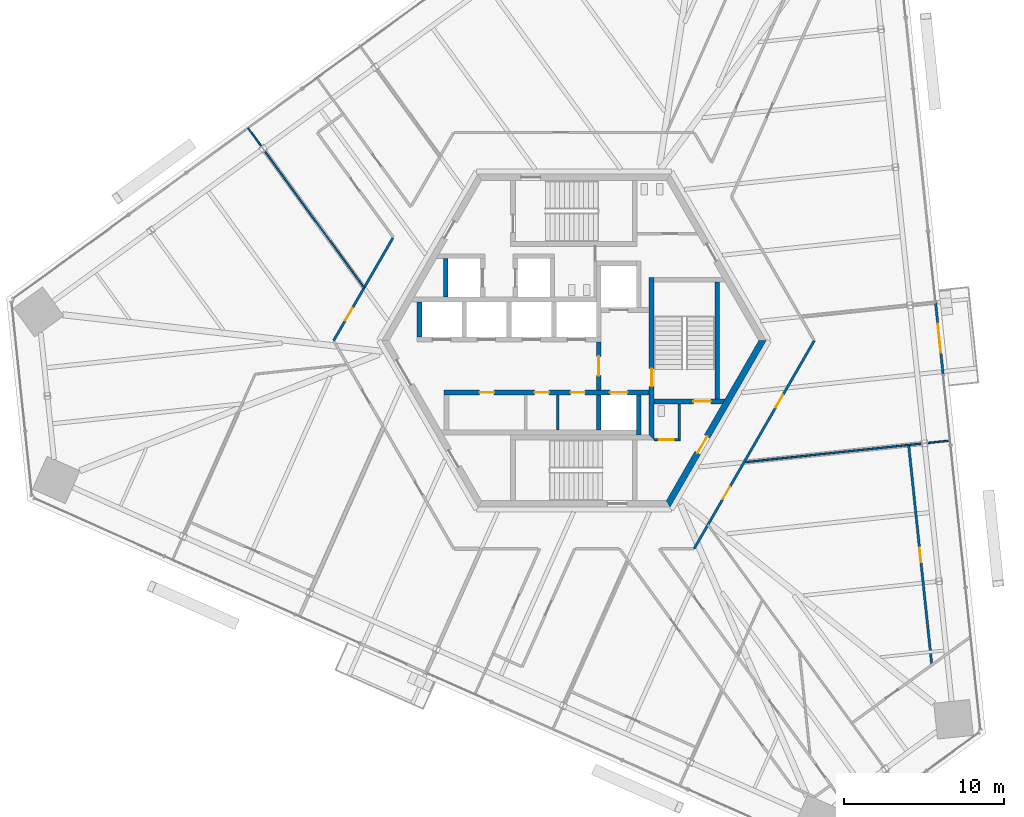
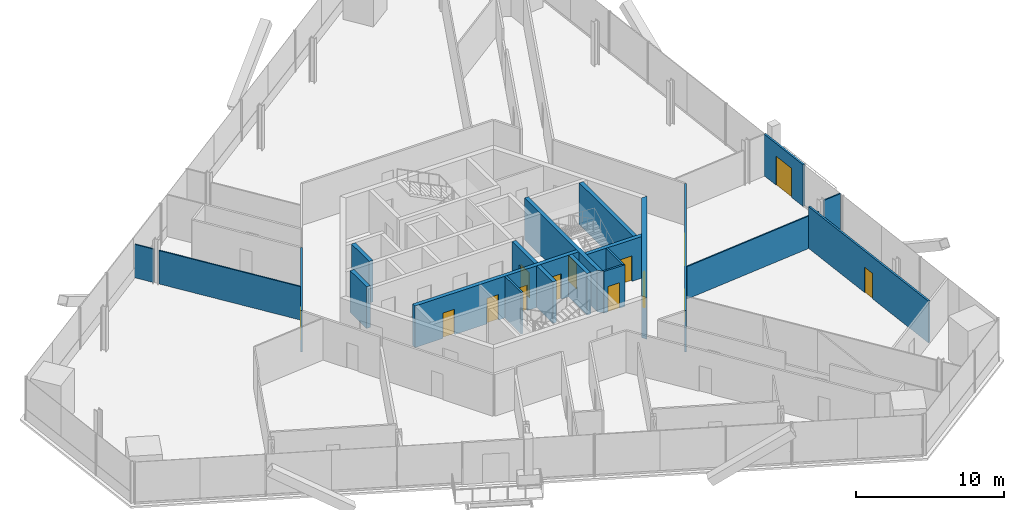
# One storey, part 12 of 18: 21 walls, 14 doors, 14 openings.
"""IFC4 building model written with IfcOpenShell, lengths in metres."""

from ifc_helpers import new_model, si_unit, direction, frame, frame_2d, origin, place, context, subcontext, project, spatial, polyline, rectangle, outline, extrude, source, transform, mapped, material, layer, layer_set, type_object, element, fill, save


model = new_model("IFC4")

# Units and contexts
model_context = context("Model", 3, precision=1e-05, world=origin(), true_north=direction((0.0, 1.0)))
body_context = subcontext(model_context, "Body", "Model", "MODEL_VIEW")
ifc_project = project(units=[si_unit("LENGTHUNIT", "METRE"), si_unit("AREAUNIT", "SQUARE_METRE"), si_unit("VOLUMEUNIT", "CUBIC_METRE"), si_unit("PLANEANGLEUNIT", "RADIAN"), si_unit("MASSUNIT", "GRAM", prefix="KILO")], contexts=[model_context])

# Site, building, storey
site_placement = place(None, origin())
site = spatial("IfcSite", under=ifc_project, at=site_placement, CompositionType="ELEMENT")
building_placement = place(site_placement, origin())
building = spatial("IfcBuilding", under=site, at=building_placement, Name="Triune Harvest Tower", CompositionType="ELEMENT")
storey_placement = place(building_placement, frame((0.0, 0.0, 83.699951171875)))
storey = spatial("IfcBuildingStorey", under=building, at=storey_placement, Name="L20", CompositionType="ELEMENT", Elevation=83.699951171875)

# Walls
ifc_material_1 = material(Name="Gypsum board on steel studs", Category="steel")
ifc_layer_1 = layer(ifc_material_1, 0.10009765625)
ifc_layer_set_1 = layer_set([ifc_layer_1], Name="Gypsum board on steel studs")
wall_type_1 = type_object("IfcWallType", Name="Partition 100 mm", PredefinedType="PARTITIONING", material=ifc_layer_set_1)
wall_1_placement = place(storey_placement, frame((-20.349365234375, 13.271484375, 0.0), z_axis=(0.0, 0.0, 1.0), x_axis=(0.587731585227, -0.809055983061, 0.0)))
element("IfcWall", 1, at=wall_1_placement, inside=storey, type_object=wall_type_1, Name="Partition L20 008", PredefinedType="PARTITIONING", context=body_context, shape_type="SweptSolid", body=[
    extrude(rectangle(XDim=1.41845703125, YDim=0.10009765625, at=frame_2d((0.709228515625, 0.0))), origin(), (0.0, 0.0, 1.0), 2.7568359375),
])
wall_2_placement = place(storey_placement, frame((-19.2958984375, 11.821533203125, 0.0), z_axis=(0.0, 0.0, 1.0), x_axis=(0.587790142601, -0.809013441335, 0.0)))
element("IfcWall", 2, at=wall_2_placement, inside=storey, type_object=wall_type_1, Name="Partition L20 009", PredefinedType="PARTITIONING", context=body_context, shape_type="SweptSolid", body=[
    extrude(rectangle(XDim=10.54052734375, YDim=0.10009765625, at=frame_2d((5.270263671875, 0.0))), origin(), (0.0, 0.0, 1.0), 2.7568359375),
])
wall_3_placement = place(storey_placement, frame((10.71728515625, -7.58349609375, 0.0), z_axis=(0.0, 0.0, 1.0), x_axis=(0.994523372498, 0.104514408362, 0.0)))
element("IfcWall", 3, at=wall_3_placement, inside=storey, type_object=wall_type_1, Name="Partition L20 030", PredefinedType="PARTITIONING", context=body_context, shape_type="SweptSolid", body=[
    extrude(rectangle(XDim=11.039794921875, YDim=0.10009765625, at=frame_2d((5.52001953125, 0.0))), origin(), (0.0, 0.0, 1.0), 2.68310546875),
])

# Wall, opening, door
ifc_material_2 = material(Name="Concrete 70 MPa", Category="concrete")
ifc_layer_2 = layer(ifc_material_2, 0.39990234375)
ifc_layer_set_2 = layer_set([ifc_layer_2], Name="Concrete 70 MPa")
wall_type_2 = type_object("IfcWallType", Name="Core wall 400", PredefinedType="SHEAR", material=ifc_layer_set_2)
shared_shape_1 = source(origin(), body_context, "Body", "SweptSolid", [
    extrude(outline(polyline([(-0.115478515625, -0.199951171875), (11.884521484375, -0.199951171875), (11.653564453125, 0.199951171875), (0.115478515625, 0.199951171875), (-0.115478515625, -0.199951171875)])), origin(), (0.0, 0.0, 1.0), 3.43994140625),
])
wall_4_placement = place(storey_placement, frame((5.884521484375, -10.1923828125, 0.0), z_axis=(0.0, 0.0, 1.0), x_axis=(0.499996592174, 0.866027371285, 0.0)))
wall_4 = element("IfcWall", 4, at=wall_4_placement, inside=storey, type_object=wall_type_2, Name="Hexagon 5 wall", PredefinedType="SHEAR", context=body_context, shape_type="MappedRepresentation", body=[
    mapped(shared_shape_1, transform((0.0, 0.0, 0.0), scale=1.0)),
])
opening_1_placement = place(wall_4_placement, frame((3.66455078125, 0.0, 0.0)))
opening_1 = element("IfcOpeningElement", 5, at=opening_1_placement, cuts=wall_4, Name="Opening CD-DP", PredefinedType="OPENING", context=body_context, shape_type="SweptSolid", body=[
    extrude(rectangle(XDim=1.199951171875, YDim=2.10009765625, at=frame_2d((0.60009765625, 1.050048828125))), frame((0.0, 0.2099609375, 0.0), z_axis=(0.0, -1.0, 0.0), x_axis=(1.0, 0.0, 0.0)), (0.0, 0.0, 1.0), 0.419921875),
])
ifc_material_3 = material(Name="Steel S235", Category="steel")
door_type_1 = type_object("IfcDoorType", Name="Stair door 1200 FD120", OperationType="SINGLE_SWING_LEFT", PredefinedType="DOOR", material=ifc_material_3)
door_1_placement = place(opening_1_placement, frame((1.199951171875, 0.0, 0.0), z_axis=(0.0, 0.0, 1.0), x_axis=(-1.0, 0.0, 0.0)))
door_1 = element("IfcDoor", 6, at=door_1_placement, inside=storey, type_object=door_type_1, Name="Door CD-DP", OperationType="SINGLE_SWING_RIGHT", OverallHeight=2.10009765625, OverallWidth=1.199951171875, PredefinedType="DOOR", context=body_context, shape_type="SweptSolid", body=[
    extrude(rectangle(XDim=1.199951171875, YDim=2.10009765625, at=frame_2d((0.60009765625, 1.050048828125))), frame((0.0, 0.02490234375, 0.0), z_axis=(0.0, -1.0, 0.0), x_axis=(1.0, 0.0, 0.0)), (0.0, 0.0, 1.0), 0.050048828125),
])
fill(opening_1, door_1)

# Wall
ifc_material_4 = material(Name="Concrete 70 MPa", Category="concrete")
ifc_layer_3 = layer(ifc_material_4, 0.300048828125)
ifc_layer_set_3 = layer_set([ifc_layer_3], Name="Concrete 70 MPa")
wall_type_3 = type_object("IfcWallType", Name="Core wall 300", PredefinedType="SHEAR", material=ifc_layer_set_3)
shared_shape_2 = source(origin(), body_context, "Body", "SweptSolid", [
    extrude(rectangle(XDim=2.5, YDim=0.300048828125, at=frame_2d((1.25, 0.0))), origin(), (0.0, 0.0, 1.0), 3.43994140625),
])
wall_5_placement = place(storey_placement, frame((4.050048828125, -5.889892578125, 0.0), z_axis=(0.0, 0.0, 1.0), x_axis=(0.0, 1.0, 0.0)))
element("IfcWall", 7, at=wall_5_placement, inside=storey, type_object=wall_type_3, Name="Ff2 east wall", PredefinedType="SHEAR", context=body_context, shape_type="MappedRepresentation", body=[
    mapped(shared_shape_2, transform((0.0, 0.0, 0.0), scale=1.0)),
])

# Wall, opening, door
shared_shape_3 = source(origin(), body_context, "Body", "SweptSolid", [
    extrude(rectangle(XDim=3.0, YDim=0.300048828125, at=frame_2d((1.5, 0.0))), origin(), (0.0, 0.0, 1.0), 3.43994140625),
])
wall_6_placement = place(storey_placement, frame((1.550048828125, -3.090087890625, 0.0), z_axis=(0.0, 0.0, 1.0), x_axis=(0.0, 1.0, 0.0)))
wall_6 = element("IfcWall", 8, at=wall_6_placement, inside=storey, type_object=wall_type_3, Name="Ff lobby west wall", PredefinedType="SHEAR", context=body_context, shape_type="MappedRepresentation", body=[
    mapped(shared_shape_3, transform((0.0, 0.0, 0.0), scale=1.0)),
])
opening_2_placement = place(wall_6_placement, frame((0.89990234375, 0.0, 0.0)))
opening_2 = element("IfcOpeningElement", 9, at=opening_2_placement, cuts=wall_6, Name="Opening CD-FL", PredefinedType="OPENING", context=body_context, shape_type="SweptSolid", body=[
    extrude(rectangle(XDim=1.199951171875, YDim=2.10009765625, at=frame_2d((0.60009765625, 1.050048828125))), frame((0.0, 0.16015625, 0.0), z_axis=(0.0, -1.0, 0.0), x_axis=(1.0, 0.0, 0.0)), (0.0, 0.0, 1.0), 0.320068359375),
])
ifc_material_5 = material(Name="Steel S235", Category="steel")
door_type_2 = type_object("IfcDoorType", Name="Firefighters' lobby door 1200 FD120", OperationType="SINGLE_SWING_LEFT", PredefinedType="DOOR", material=ifc_material_5)
door_2_placement = place(opening_2_placement, frame((1.199951171875, 0.0, 0.0), z_axis=(0.0, 0.0, 1.0), x_axis=(-1.0, 0.0, 0.0)))
door_2 = element("IfcDoor", 10, at=door_2_placement, inside=storey, type_object=door_type_2, Name="Door CD-FL", OperationType="SINGLE_SWING_RIGHT", OverallHeight=2.10009765625, OverallWidth=1.199951171875, PredefinedType="DOOR", context=body_context, shape_type="SweptSolid", body=[
    extrude(rectangle(XDim=1.199951171875, YDim=2.10009765625, at=frame_2d((0.60009765625, 1.050048828125))), frame((0.0, 0.02490234375, 0.0), z_axis=(0.0, -1.0, 0.0), x_axis=(1.0, 0.0, 0.0)), (0.0, 0.0, 1.0), 0.050048828125),
])
fill(opening_2, door_2)

# Wall, openings, doors
shared_shape_4 = source(origin(), body_context, "Body", "SweptSolid", [
    extrude(rectangle(XDim=12.800048828125, YDim=0.300048828125, at=frame_2d((6.39990234375, 0.0))), origin(), (0.0, 0.0, 1.0), 3.43994140625),
])
wall_7_placement = place(storey_placement, frame((-8.10009765625, -3.239990234375, 0.0), z_axis=(0.0, 0.0, 1.0), x_axis=(1.0, 0.0, 0.0)))
wall_7 = element("IfcWall", 11, at=wall_7_placement, inside=storey, type_object=wall_type_3, Name="South front wall", PredefinedType="SHEAR", context=body_context, shape_type="MappedRepresentation", body=[
    mapped(shared_shape_4, transform((0.0, 0.0, 0.0), scale=1.0)),
])
opening_3_placement = place(wall_7_placement, frame((2.21240234375, 0.0, 0.0)))
opening_3 = element("IfcOpeningElement", 12, at=opening_3_placement, cuts=wall_7, Name="Opening CD-RS1", PredefinedType="OPENING", context=body_context, shape_type="SweptSolid", body=[
    extrude(rectangle(XDim=0.89990234375, YDim=2.10009765625, at=frame_2d((0.449951171875, 1.050048828125))), frame((0.0, 0.16015625, 0.0), z_axis=(0.0, -1.0, 0.0), x_axis=(1.0, 0.0, 0.0)), (0.0, 0.0, 1.0), 0.320068359375),
])
opening_4_placement = place(wall_7_placement, frame((5.64990234375, 0.0, 0.0)))
opening_4 = element("IfcOpeningElement", 13, at=opening_4_placement, cuts=wall_7, Name="Opening CD-RS2", PredefinedType="OPENING", context=body_context, shape_type="SweptSolid", body=[
    extrude(rectangle(XDim=0.89990234375, YDim=2.10009765625, at=frame_2d((0.449951171875, 1.050048828125))), frame((0.0, 0.16015625, 0.0), z_axis=(0.0, -1.0, 0.0), x_axis=(1.0, 0.0, 0.0)), (0.0, 0.0, 1.0), 0.320068359375),
])
opening_5_placement = place(wall_7_placement, frame((7.887451171875, 0.0, 0.0)))
opening_5 = element("IfcOpeningElement", 14, at=opening_5_placement, cuts=wall_7, Name="Opening CD-RS3", PredefinedType="OPENING", context=body_context, shape_type="SweptSolid", body=[
    extrude(rectangle(XDim=0.89990234375, YDim=2.10009765625, at=frame_2d((0.449951171875, 1.050048828125))), frame((0.0, 0.16015625, 0.0), z_axis=(0.0, -1.0, 0.0), x_axis=(1.0, 0.0, 0.0)), (0.0, 0.0, 1.0), 0.320068359375),
])
opening_6_placement = place(wall_7_placement, frame((10.35009765625, 0.0, 0.0)))
opening_6 = element("IfcOpeningElement", 15, at=opening_6_placement, cuts=wall_7, Name="Opening LD-FF2-20", PredefinedType="OPENING", context=body_context, shape_type="SweptSolid", body=[
    extrude(rectangle(XDim=1.10009765625, YDim=2.10009765625, at=frame_2d((0.550048828125, 1.050048828125))), frame((0.0, 0.16015625, 0.0), z_axis=(0.0, -1.0, 0.0), x_axis=(1.0, 0.0, 0.0)), (0.0, 0.0, 1.0), 0.320068359375),
])
ifc_material_6 = material(Name="Stainless steel AISI 304", Category="steel")
door_type_3 = type_object("IfcDoorType", Name="Landing door 1100 x 2100", OperationType="DOUBLE_DOOR_SLIDING", PredefinedType="DOOR", material=ifc_material_6)
door_3_placement = place(opening_6_placement, origin())
door_3 = element("IfcDoor", 16, at=door_3_placement, inside=storey, type_object=door_type_3, Name="Door LD-FF2-20", OperationType="DOUBLE_DOOR_SLIDING", OverallHeight=2.10009765625, OverallWidth=1.10009765625, PredefinedType="DOOR", context=body_context, shape_type="SweptSolid", body=[
    extrude(rectangle(XDim=1.10009765625, YDim=2.10009765625, at=frame_2d((0.550048828125, 1.050048828125))), frame((0.0, 0.02490234375, 0.0), z_axis=(0.0, -1.0, 0.0), x_axis=(1.0, 0.0, 0.0)), (0.0, 0.0, 1.0), 0.050048828125),
])
fill(opening_6, door_3)
ifc_material_7 = material(Name="Steel S235", Category="steel")
door_type_4 = type_object("IfcDoorType", Name="Riser door 900 FD120", OperationType="SINGLE_SWING_LEFT", PredefinedType="DOOR", material=ifc_material_7)
door_4_placement = place(opening_3_placement, origin())
door_4 = element("IfcDoor", 17, at=door_4_placement, inside=storey, type_object=door_type_4, Name="Door CD-RS1", OperationType="SINGLE_SWING_LEFT", OverallHeight=2.10009765625, OverallWidth=0.89990234375, PredefinedType="DOOR", context=body_context, shape_type="SweptSolid", body=[
    extrude(rectangle(XDim=0.89990234375, YDim=2.10009765625, at=frame_2d((0.449951171875, 1.050048828125))), frame((0.0, 0.02490234375, 0.0), z_axis=(0.0, -1.0, 0.0), x_axis=(1.0, 0.0, 0.0)), (0.0, 0.0, 1.0), 0.050048828125),
])
fill(opening_3, door_4)
door_5_placement = place(opening_4_placement, origin())
door_5 = element("IfcDoor", 18, at=door_5_placement, inside=storey, type_object=door_type_4, Name="Door CD-RS2", OperationType="SINGLE_SWING_LEFT", OverallHeight=2.10009765625, OverallWidth=0.89990234375, PredefinedType="DOOR", context=body_context, shape_type="SweptSolid", body=[
    extrude(rectangle(XDim=0.89990234375, YDim=2.10009765625, at=frame_2d((0.449951171875, 1.050048828125))), frame((0.0, 0.02490234375, 0.0), z_axis=(0.0, -1.0, 0.0), x_axis=(1.0, 0.0, 0.0)), (0.0, 0.0, 1.0), 0.050048828125),
])
fill(opening_4, door_5)
door_6_placement = place(opening_5_placement, origin())
door_6 = element("IfcDoor", 19, at=door_6_placement, inside=storey, type_object=door_type_4, Name="Door CD-RS3", OperationType="SINGLE_SWING_LEFT", OverallHeight=2.10009765625, OverallWidth=0.89990234375, PredefinedType="DOOR", context=body_context, shape_type="SweptSolid", body=[
    extrude(rectangle(XDim=0.89990234375, YDim=2.10009765625, at=frame_2d((0.449951171875, 1.050048828125))), frame((0.0, 0.02490234375, 0.0), z_axis=(0.0, -1.0, 0.0), x_axis=(1.0, 0.0, 0.0)), (0.0, 0.0, 1.0), 0.050048828125),
])
fill(opening_5, door_6)

# Walls
shared_shape_5 = source(origin(), body_context, "Body", "SweptSolid", [
    extrude(rectangle(XDim=2.2001953125, YDim=0.300048828125, at=frame_2d((1.10009765625, 0.0))), origin(), (0.0, 0.0, 1.0), 3.43994140625),
])
wall_8_placement = place(storey_placement, frame((1.550048828125, -5.590087890625, 0.0), z_axis=(0.0, 0.0, 1.0), x_axis=(0.0, 1.0, 0.0)))
element("IfcWall", 20, at=wall_8_placement, inside=storey, type_object=wall_type_3, Name="Ff2 west wall", PredefinedType="SHEAR", context=body_context, shape_type="MappedRepresentation", body=[
    mapped(shared_shape_5, transform((0.0, 0.0, 0.0), scale=1.0)),
])
shared_shape_6 = source(origin(), body_context, "Body", "SweptSolid", [
    extrude(rectangle(XDim=2.199951171875, YDim=0.300048828125, at=frame_2d((1.10009765625, 0.0))), origin(), (0.0, 0.0, 1.0), 3.43994140625),
])
wall_9_placement = place(storey_placement, frame((-9.64990234375, 0.2099609375, 0.0), z_axis=(0.0, 0.0, 1.0), x_axis=(0.0, 1.0, 0.0)))
element("IfcWall", 21, at=wall_9_placement, inside=storey, type_object=wall_type_3, Name="North end west wall", PredefinedType="SHEAR", context=body_context, shape_type="MappedRepresentation", body=[
    mapped(shared_shape_6, transform((0.0, 0.0, 0.0), scale=1.0)),
])

# Wall, opening, door
shared_shape_7 = source(origin(), body_context, "Body", "SweptSolid", [
    extrude(outline(polyline([(-0.14990234375, -0.14990234375), (9.989990234375, -0.14990234375), (9.989990234375, 0.14990234375), (0.14990234375, 0.14990234375), (-0.14990234375, -0.14990234375)])), origin(), (0.0, 0.0, 1.0), 3.43994140625),
])
wall_10_placement = place(storey_placement, frame((4.85009765625, -6.0400390625, 0.0), z_axis=(0.0, 0.0, 1.0), x_axis=(0.0, 1.0, 0.0)))
wall_10 = element("IfcWall", 22, at=wall_10_placement, inside=storey, type_object=wall_type_3, Name="Stair e west wall", PredefinedType="SHEAR", context=body_context, shape_type="MappedRepresentation", body=[
    mapped(shared_shape_7, transform((0.0, 0.0, 0.0), scale=1.0)),
])
opening_7_placement = place(wall_10_placement, frame((3.18994140625, 0.0, 0.0)))
opening_7 = element("IfcOpeningElement", 23, at=opening_7_placement, cuts=wall_10, Name="Opening CD-S3L", PredefinedType="OPENING", context=body_context, shape_type="SweptSolid", body=[
    extrude(rectangle(XDim=1.10009765625, YDim=2.10009765625, at=frame_2d((0.550048828125, 1.050048828125))), frame((0.0, 0.16015625, 0.0), z_axis=(0.0, -1.0, 0.0), x_axis=(1.0, 0.0, 0.0)), (0.0, 0.0, 1.0), 0.320068359375),
])
ifc_material_8 = material(Name="Steel S235", Category="steel")
door_type_5 = type_object("IfcDoorType", Name="Stair door 1100 FD120", OperationType="SINGLE_SWING_LEFT", PredefinedType="DOOR", material=ifc_material_8)
door_7_placement = place(opening_7_placement, frame((1.10009765625, 0.0, 0.0), z_axis=(0.0, 0.0, 1.0), x_axis=(-1.0, 0.0, 0.0)))
door_7 = element("IfcDoor", 24, at=door_7_placement, inside=storey, type_object=door_type_5, Name="Door CD-S3L", OperationType="SINGLE_SWING_RIGHT", OverallHeight=2.10009765625, OverallWidth=1.10009765625, PredefinedType="DOOR", context=body_context, shape_type="SweptSolid", body=[
    extrude(rectangle(XDim=1.10009765625, YDim=2.10009765625, at=frame_2d((0.550048828125, 1.050048828125))), frame((0.0, 0.02490234375, 0.0), z_axis=(0.0, -1.0, 0.0), x_axis=(1.0, 0.0, 0.0)), (0.0, 0.0, 1.0), 0.050048828125),
])
fill(opening_7, door_7)

shared_shape_8 = source(origin(), body_context, "Body", "SweptSolid", [
    extrude(outline(polyline([(0.0, -0.14990234375), (0.0, 0.14990234375), (4.43310546875, 0.14990234375), (4.260009765625, -0.14990234375), (0.0, -0.14990234375)])), origin(), (0.0, 0.0, 1.0), 3.43994140625),
])
wall_11_placement = place(storey_placement, frame((5.0, -3.800048828125, 0.0), z_axis=(0.0, 0.0, 1.0), x_axis=(1.0, 0.0, 0.0)))
wall_11 = element("IfcWall", 25, at=wall_11_placement, inside=storey, type_object=wall_type_3, Name="Stair e south wall", PredefinedType="SHEAR", context=body_context, shape_type="MappedRepresentation", body=[
    mapped(shared_shape_8, transform((0.0, 0.0, 0.0), scale=1.0)),
])
opening_8_placement = place(wall_11_placement, frame((2.449951171875, 0.0, 0.0)))
opening_8 = element("IfcOpeningElement", 26, at=opening_8_placement, cuts=wall_11, Name="Opening CD-S3D", PredefinedType="OPENING", context=body_context, shape_type="SweptSolid", body=[
    extrude(rectangle(XDim=1.10009765625, YDim=2.10009765625, at=frame_2d((0.550048828125, 1.050048828125))), frame((0.0, 0.16015625, 0.0), z_axis=(0.0, -1.0, 0.0), x_axis=(1.0, 0.0, 0.0)), (0.0, 0.0, 1.0), 0.320068359375),
])
door_8_placement = place(opening_8_placement, frame((1.10009765625, 0.0, 0.0), z_axis=(0.0, 0.0, 1.0), x_axis=(-1.0, 0.0, 0.0)))
door_8 = element("IfcDoor", 27, at=door_8_placement, inside=storey, type_object=door_type_5, Name="Door CD-S3D", OperationType="SINGLE_SWING_RIGHT", OverallHeight=2.10009765625, OverallWidth=1.10009765625, PredefinedType="DOOR", context=body_context, shape_type="SweptSolid", body=[
    extrude(rectangle(XDim=1.10009765625, YDim=2.10009765625, at=frame_2d((0.550048828125, 1.050048828125))), frame((0.0, 0.02490234375, 0.0), z_axis=(0.0, -1.0, 0.0), x_axis=(1.0, 0.0, 0.0)), (0.0, 0.0, 1.0), 0.050048828125),
])
fill(opening_8, door_8)

# Walls
shared_shape_9 = source(origin(), body_context, "Body", "SweptSolid", [
    extrude(rectangle(XDim=7.2998046875, YDim=0.300048828125, at=frame_2d((3.64990234375, 0.0))), origin(), (0.0, 0.0, 1.0), 3.43994140625),
])
wall_12_placement = place(storey_placement, frame((8.949951171875, -3.64990234375, 0.0), z_axis=(0.0, 0.0, 1.0), x_axis=(0.0, 1.0, 0.0)))
element("IfcWall", 28, at=wall_12_placement, inside=storey, type_object=wall_type_3, Name="Stair e east wall", PredefinedType="SHEAR", context=body_context, shape_type="MappedRepresentation", body=[
    mapped(shared_shape_9, transform((0.0, 0.0, 0.0), scale=1.0)),
])
shared_shape_10 = source(origin(), body_context, "Body", "SweptSolid", [
    extrude(rectangle(XDim=2.400146484375, YDim=0.300048828125, at=frame_2d((1.2001953125, 0.0))), origin(), (0.0, 0.0, 1.0), 3.43994140625),
])
wall_13_placement = place(storey_placement, frame((-8.0, 2.7099609375, 0.0), z_axis=(0.0, 0.0, 1.0), x_axis=(0.0, 1.0, 0.0)))
element("IfcWall", 29, at=wall_13_placement, inside=storey, type_object=wall_type_3, Name="Sv1 west wall", PredefinedType="SHEAR", context=body_context, shape_type="MappedRepresentation", body=[
    mapped(shared_shape_10, transform((0.0, 0.0, 0.0), scale=1.0)),
])

# Wall, opening, door
ifc_material_9 = material(Name="Concrete masonry unit", Category="masonry")
ifc_layer_4 = layer(ifc_material_9, 0.14990234375)
ifc_layer_set_4 = layer_set([ifc_layer_4], Name="Concrete masonry unit")
wall_type_4 = type_object("IfcWallType", Name="Block partition 150 unrated", PredefinedType="PARTITIONING", material=ifc_layer_set_4)
shared_shape_11 = source(origin(), body_context, "Body", "SweptSolid", [
    extrude(outline(polyline([(0.0, -0.074951171875), (1.64990234375, -0.074951171875), (1.5, 0.074951171875), (0.0, 0.074951171875), (0.0, -0.074951171875)])), origin(), (0.0, 0.0, 1.0), 3.43994140625),
])
wall_14_placement = place(storey_placement, frame((5.0, -6.18994140625, 0.0), z_axis=(0.0, 0.0, 1.0), x_axis=(1.0, 0.0, 0.0)))
wall_14 = element("IfcWall", 30, at=wall_14_placement, inside=storey, type_object=wall_type_4, Name="Wc acc south wall", PredefinedType="PARTITIONING", context=body_context, shape_type="MappedRepresentation", body=[
    mapped(shared_shape_11, transform((0.0, 0.0, 0.0), scale=1.0)),
])
opening_9_placement = place(wall_14_placement, frame((0.33740234375, 0.0, 0.0)))
opening_9 = element("IfcOpeningElement", 31, at=opening_9_placement, cuts=wall_14, Name="Opening CD-WA", PredefinedType="OPENING", context=body_context, shape_type="SweptSolid", body=[
    extrude(rectangle(XDim=0.89990234375, YDim=2.10009765625, at=frame_2d((0.449951171875, 1.050048828125))), frame((0.0, 0.0849609375, 0.0), z_axis=(0.0, -1.0, 0.0), x_axis=(1.0, 0.0, 0.0)), (0.0, 0.0, 1.0), 0.169921875),
])
ifc_material_10 = material(Name="Timber C24", Category="wood")
door_type_6 = type_object("IfcDoorType", Name="WC door 900", OperationType="SINGLE_SWING_LEFT", PredefinedType="DOOR", material=ifc_material_10)
door_9_placement = place(opening_9_placement, origin())
door_9 = element("IfcDoor", 32, at=door_9_placement, inside=storey, type_object=door_type_6, Name="Door CD-WA", OperationType="SINGLE_SWING_LEFT", OverallHeight=2.10009765625, OverallWidth=0.89990234375, PredefinedType="DOOR", context=body_context, shape_type="SweptSolid", body=[
    extrude(rectangle(XDim=0.89990234375, YDim=2.10009765625, at=frame_2d((0.449951171875, 1.050048828125))), frame((0.0, 0.02490234375, 0.0), z_axis=(0.0, -1.0, 0.0), x_axis=(1.0, 0.0, 0.0)), (0.0, 0.0, 1.0), 0.050048828125),
])
fill(opening_9, door_9)

# Walls
shared_shape_12 = source(origin(), body_context, "Body", "SweptSolid", [
    extrude(outline(polyline([(-0.074951171875, -0.074951171875), (2.239990234375, -0.074951171875), (2.239990234375, 0.074951171875), (0.074951171875, 0.074951171875), (-0.074951171875, -0.074951171875)])), origin(), (0.0, 0.0, 1.0), 3.43994140625),
])
wall_15_placement = place(storey_placement, frame((6.574951171875, -6.18994140625, 0.0), z_axis=(0.0, 0.0, 1.0), x_axis=(0.0, 1.0, 0.0)))
element("IfcWall", 33, at=wall_15_placement, inside=storey, type_object=wall_type_4, Name="Wc acc east wall", PredefinedType="PARTITIONING", context=body_context, shape_type="MappedRepresentation", body=[
    mapped(shared_shape_12, transform((0.0, 0.0, 0.0), scale=1.0)),
])
ifc_material_11 = material(Name="Concrete masonry unit", Category="masonry")
ifc_layer_5 = layer(ifc_material_11, 0.14990234375)
ifc_layer_set_5 = layer_set([ifc_layer_5], Name="Concrete masonry unit")
wall_type_5 = type_object("IfcWallType", Name="Block partition 150", PredefinedType="PARTITIONING", material=ifc_layer_set_5)
shared_shape_13 = source(origin(), body_context, "Body", "SweptSolid", [
    extrude(rectangle(XDim=2.2001953125, YDim=0.14990234375, at=frame_2d((1.10009765625, 0.0))), origin(), (0.0, 0.0, 1.0), 3.43994140625),
])
wall_16_placement = place(storey_placement, frame((-1.0, -5.590087890625, 0.0), z_axis=(0.0, 0.0, 1.0), x_axis=(0.0, 1.0, 0.0)))
element("IfcWall", 34, at=wall_16_placement, inside=storey, type_object=wall_type_5, Name="Row s part 2 wall", PredefinedType="PARTITIONING", context=body_context, shape_type="MappedRepresentation", body=[
    mapped(shared_shape_13, transform((0.0, 0.0, 0.0), scale=1.0)),
])

# Wall, opening, door
ifc_material_12 = material(Name="Aluminium bronze anodised", Category="aluminium")
ifc_layer_6 = layer(ifc_material_12, 0.14990234375)
ifc_layer_set_6 = layer_set([ifc_layer_6], Name="Aluminium bronze anodised")
wall_type_6 = type_object("IfcWallType", Name="WW-2 balcony window wall", PredefinedType="ELEMENTEDWALL", material=ifc_layer_set_6)
shared_shape_14 = source(origin(), body_context, "Body", "SweptSolid", [
    extrude(rectangle(XDim=4.485595703125, YDim=0.14990234375, at=frame_2d((2.24267578125, 0.0))), origin(), (0.0, 0.0, 1.0), 3.43994140625),
])
wall_17_placement = place(storey_placement, frame((22.573486328125, 2.37255859375, 0.0), z_axis=(0.0, 0.0, 1.0), x_axis=(0.104503452586, -0.994524523779, 0.0)))
wall_17 = element("IfcWall", 35, at=wall_17_placement, inside=storey, type_object=wall_type_6, Name="WW-2 B2-F1 L20.6", PredefinedType="ELEMENTEDWALL", context=body_context, shape_type="MappedRepresentation", body=[
    mapped(shared_shape_14, transform((0.0, 0.0, 0.0), scale=1.0)),
])
opening_10_placement = place(wall_17_placement, frame((1.3427734375, 0.0, 0.0)))
opening_10 = element("IfcOpeningElement", 36, at=opening_10_placement, cuts=wall_17, Name="Opening L20-E01", PredefinedType="OPENING", context=body_context, shape_type="SweptSolid", body=[
    extrude(rectangle(XDim=1.800048828125, YDim=2.39990234375, at=frame_2d((0.89990234375, 1.199951171875))), frame((0.0, 0.0849609375, 0.0), z_axis=(0.0, -1.0, 0.0), x_axis=(1.0, 0.0, 0.0)), (0.0, 0.0, 1.0), 0.169921875),
])
ifc_material_13 = material(Name="Glass", Category="glass")
door_type_7 = type_object("IfcDoorType", Name="DB-1 balcony door 1800 x 2400", OperationType="DOUBLE_DOOR_SINGLE_SWING", PredefinedType="DOOR", material=ifc_material_13)
door_10_placement = place(opening_10_placement, origin())
door_10 = element("IfcDoor", 37, at=door_10_placement, inside=storey, type_object=door_type_7, Name="Door L20-E01", OperationType="DOUBLE_DOOR_SINGLE_SWING", OverallHeight=2.39990234375, OverallWidth=1.800048828125, PredefinedType="DOOR", context=body_context, shape_type="SweptSolid", body=[
    extrude(rectangle(XDim=1.800048828125, YDim=2.39990234375, at=frame_2d((0.89990234375, 1.199951171875))), frame((0.0, 0.02490234375, 0.0), z_axis=(0.0, -1.0, 0.0), x_axis=(1.0, 0.0, 0.0)), (0.0, 0.0, 1.0), 0.050048828125),
])
fill(opening_10, door_10)

# Wall
shared_shape_15 = source(origin(), body_context, "Body", "SweptSolid", [
    extrude(rectangle(XDim=1.418701171875, YDim=0.10009765625, at=frame_2d((0.70947265625, 0.0))), origin(), (0.0, 0.0, 1.0), 3.43994140625),
])
wall_18_placement = place(storey_placement, frame((22.068115234375, -6.390380859375, 0.0), z_axis=(0.0, 0.0, 1.0), x_axis=(0.994529002172, 0.104460824419, 0.0)))
element("IfcWall", 38, at=wall_18_placement, inside=storey, type_object=wall_type_1, Name="Partition L20 031", PredefinedType="PARTITIONING", context=body_context, shape_type="MappedRepresentation", body=[
    mapped(shared_shape_15, transform((0.0, 0.0, 0.0), scale=1.0)),
])

# Wall, opening, door
ifc_material_14 = material(Name="Gypsum board on steel studs", Category="steel")
ifc_layer_7 = layer(ifc_material_14, 0.14990234375)
ifc_layer_set_7 = layer_set([ifc_layer_7], Name="Gypsum board on steel studs")
wall_type_7 = type_object("IfcWallType", Name="Fire Partition 150 mm", PredefinedType="PARTITIONING", material=ifc_layer_set_7)
shared_shape_16 = source(origin(), body_context, "Body", "SweptSolid", [
    extrude(rectangle(XDim=13.81494140625, YDim=0.14990234375, at=frame_2d((6.907470703125, 0.0))), origin(), (0.0, 0.0, 1.0), 3.43994140625),
])
wall_19_placement = place(storey_placement, frame((20.89306640625, -6.513916015625, 0.0), z_axis=(0.0, 0.0, 1.0), x_axis=(0.104531156035, -0.994521612343, 0.0)))
wall_19 = element("IfcWall", 39, at=wall_19_placement, inside=storey, type_object=wall_type_7, Name="Partition L20 003", PredefinedType="PARTITIONING", context=body_context, shape_type="MappedRepresentation", body=[
    mapped(shared_shape_16, transform((0.0, 0.0, 0.0), scale=1.0)),
])
opening_11_placement = place(wall_19_placement, frame((6.46484375, 0.0, 0.0)))
opening_11 = element("IfcOpeningElement", 40, at=opening_11_placement, cuts=wall_19, Name="Opening L20-003", PredefinedType="OPENING", context=body_context, shape_type="SweptSolid", body=[
    extrude(rectangle(XDim=0.89990234375, YDim=2.10009765625, at=frame_2d((0.449951171875, 1.050048828125))), frame((0.0, 0.0849609375, 0.0), z_axis=(0.0, -1.0, 0.0), x_axis=(1.0, 0.0, 0.0)), (0.0, 0.0, 1.0), 0.169921875),
])
ifc_material_15 = material(Name="Timber and steel door set", Category="steel")
door_type_8 = type_object("IfcDoorType", Name="Single leaf door FD30 right hand 900 x 2100", OperationType="SINGLE_SWING_RIGHT", PredefinedType="DOOR", material=ifc_material_15)
door_11_placement = place(opening_11_placement, origin())
door_11 = element("IfcDoor", 41, at=door_11_placement, inside=storey, type_object=door_type_8, Name="Door L20-003 Dry Store Room 20.03", OperationType="SINGLE_SWING_RIGHT", OverallHeight=2.10009765625, OverallWidth=0.89990234375, PredefinedType="DOOR", context=body_context, shape_type="SweptSolid", body=[
    extrude(rectangle(XDim=0.89990234375, YDim=2.10009765625, at=frame_2d((0.449951171875, 1.050048828125))), frame((0.0, 0.02490234375, 0.0), z_axis=(0.0, -1.0, 0.0), x_axis=(1.0, 0.0, 0.0)), (0.0, 0.0, 1.0), 0.050048828125),
])
fill(opening_11, door_11)

# Wall, openings, doors
shared_shape_17 = source(origin(), body_context, "Body", "SweptSolid", [
    extrude(rectangle(XDim=15.001953125, YDim=0.14990234375, at=frame_2d((7.5009765625, 0.0))), origin(), (0.0, 0.0, 1.0), 3.43994140625),
])
wall_20_placement = place(storey_placement, frame((7.501220703125, -12.9921875, 0.0), z_axis=(0.0, 0.0, 1.0), x_axis=(0.499996681051, 0.866027319972, 0.0)))
wall_20 = element("IfcWall", 42, at=wall_20_placement, inside=storey, type_object=wall_type_7, Name="Partition L20 039", PredefinedType="PARTITIONING", context=body_context, shape_type="MappedRepresentation", body=[
    mapped(shared_shape_17, transform((0.0, 0.0, 0.0), scale=1.0)),
])
opening_12_placement = place(wall_20_placement, frame((3.566650390625, 0.0, 0.0)))
opening_12 = element("IfcOpeningElement", 43, at=opening_12_placement, cuts=wall_20, Name="Opening L20-001", PredefinedType="OPENING", context=body_context, shape_type="SweptSolid", body=[
    extrude(rectangle(XDim=0.89990234375, YDim=2.10009765625, at=frame_2d((0.449951171875, 1.050048828125))), frame((0.0, 0.0849609375, 0.0), z_axis=(0.0, -1.0, 0.0), x_axis=(1.0, 0.0, 0.0)), (0.0, 0.0, 1.0), 0.169921875),
])
opening_13_placement = place(wall_20_placement, frame((10.18359375, 0.0, 0.0)))
opening_13 = element("IfcOpeningElement", 44, at=opening_13_placement, cuts=wall_20, Name="Opening L20-004", PredefinedType="OPENING", context=body_context, shape_type="SweptSolid", body=[
    extrude(rectangle(XDim=0.89990234375, YDim=2.10009765625, at=frame_2d((0.449951171875, 1.050048828125))), frame((0.0, 0.0849609375, 0.0), z_axis=(0.0, -1.0, 0.0), x_axis=(1.0, 0.0, 0.0)), (0.0, 0.0, 1.0), 0.169921875),
])
ifc_material_16 = material(Name="Timber and steel door set", Category="steel")
door_type_9 = type_object("IfcDoorType", Name="Single leaf door FD30 left hand 900 x 2100", OperationType="SINGLE_SWING_LEFT", PredefinedType="DOOR", material=ifc_material_16)
door_12_placement = place(opening_13_placement, origin())
door_12 = element("IfcDoor", 45, at=door_12_placement, inside=storey, type_object=door_type_9, Name="Door L20-004 Office 20.04", OperationType="SINGLE_SWING_LEFT", OverallHeight=2.10009765625, OverallWidth=0.89990234375, PredefinedType="DOOR", context=body_context, shape_type="SweptSolid", body=[
    extrude(rectangle(XDim=0.89990234375, YDim=2.10009765625, at=frame_2d((0.449951171875, 1.050048828125))), frame((0.0, 0.02490234375, 0.0), z_axis=(0.0, -1.0, 0.0), x_axis=(1.0, 0.0, 0.0)), (0.0, 0.0, 1.0), 0.050048828125),
])
fill(opening_13, door_12)
door_13_placement = place(opening_12_placement, origin())
door_13 = element("IfcDoor", 46, at=door_13_placement, inside=storey, type_object=door_type_8, Name="Door L20-001 Tasting Room 20.01", OperationType="SINGLE_SWING_RIGHT", OverallHeight=2.10009765625, OverallWidth=0.89990234375, PredefinedType="DOOR", context=body_context, shape_type="SweptSolid", body=[
    extrude(rectangle(XDim=0.89990234375, YDim=2.10009765625, at=frame_2d((0.449951171875, 1.050048828125))), frame((0.0, 0.02490234375, 0.0), z_axis=(0.0, -1.0, 0.0), x_axis=(1.0, 0.0, 0.0)), (0.0, 0.0, 1.0), 0.050048828125),
])
fill(opening_12, door_13)

# Wall, opening, door
shared_shape_18 = source(origin(), body_context, "Body", "SweptSolid", [
    extrude(rectangle(XDim=7.400146484375, YDim=0.14990234375, at=frame_2d((3.7001953125, 0.0))), origin(), (0.0, 0.0, 1.0), 3.43994140625),
])
wall_21_placement = place(storey_placement, frame((-15.002197265625, -0.000244140625, 0.0), z_axis=(0.0, 0.0, 1.0), x_axis=(0.500013743233, 0.86601746898, 0.0)))
wall_21 = element("IfcWall", 47, at=wall_21_placement, inside=storey, type_object=wall_type_7, Name="Partition L20 040", PredefinedType="PARTITIONING", context=body_context, shape_type="MappedRepresentation", body=[
    mapped(shared_shape_18, transform((0.0, 0.0, 0.0), scale=1.0)),
])
opening_14_placement = place(wall_21_placement, frame((1.453857421875, 0.0, 0.0)))
opening_14 = element("IfcOpeningElement", 48, at=opening_14_placement, cuts=wall_21, Name="Opening L20-011", PredefinedType="OPENING", context=body_context, shape_type="SweptSolid", body=[
    extrude(rectangle(XDim=0.89990234375, YDim=2.10009765625, at=frame_2d((0.449951171875, 1.050048828125))), frame((0.0, 0.0849609375, 0.0), z_axis=(0.0, -1.0, 0.0), x_axis=(1.0, 0.0, 0.0)), (0.0, 0.0, 1.0), 0.169921875),
])
door_14_placement = place(opening_14_placement, origin())
door_14 = element("IfcDoor", 49, at=door_14_placement, inside=storey, type_object=door_type_9, Name="Door L20-011 Office 20.11", OperationType="SINGLE_SWING_LEFT", OverallHeight=2.10009765625, OverallWidth=0.89990234375, PredefinedType="DOOR", context=body_context, shape_type="SweptSolid", body=[
    extrude(rectangle(XDim=0.89990234375, YDim=2.10009765625, at=frame_2d((0.449951171875, 1.050048828125))), frame((0.0, 0.02490234375, 0.0), z_axis=(0.0, -1.0, 0.0), x_axis=(1.0, 0.0, 0.0)), (0.0, 0.0, 1.0), 0.050048828125),
])
fill(opening_14, door_14)

save(model, "model.ifc")
